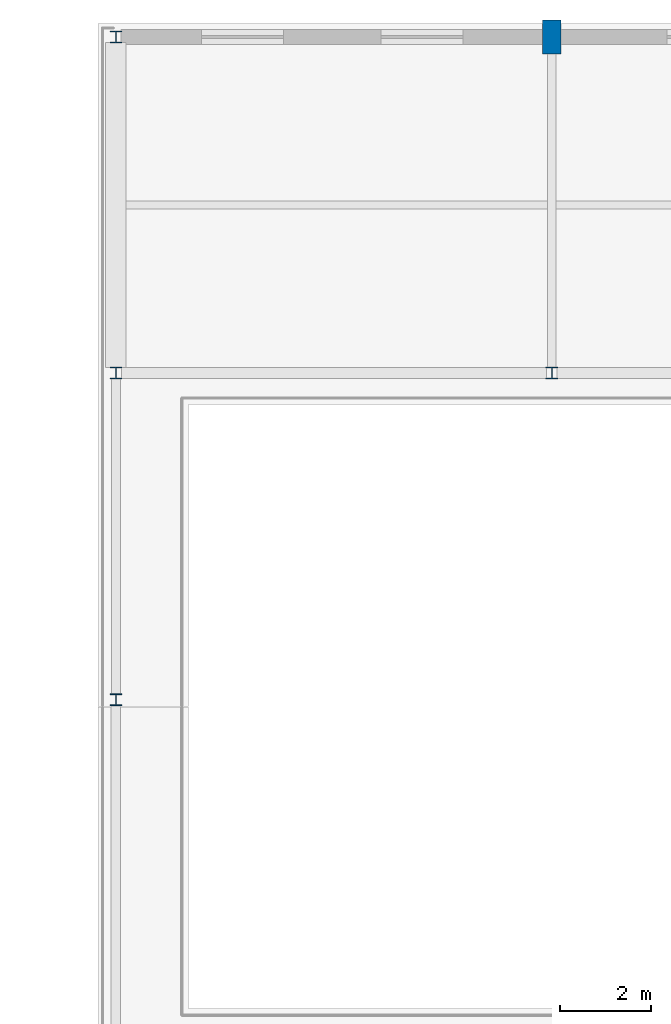
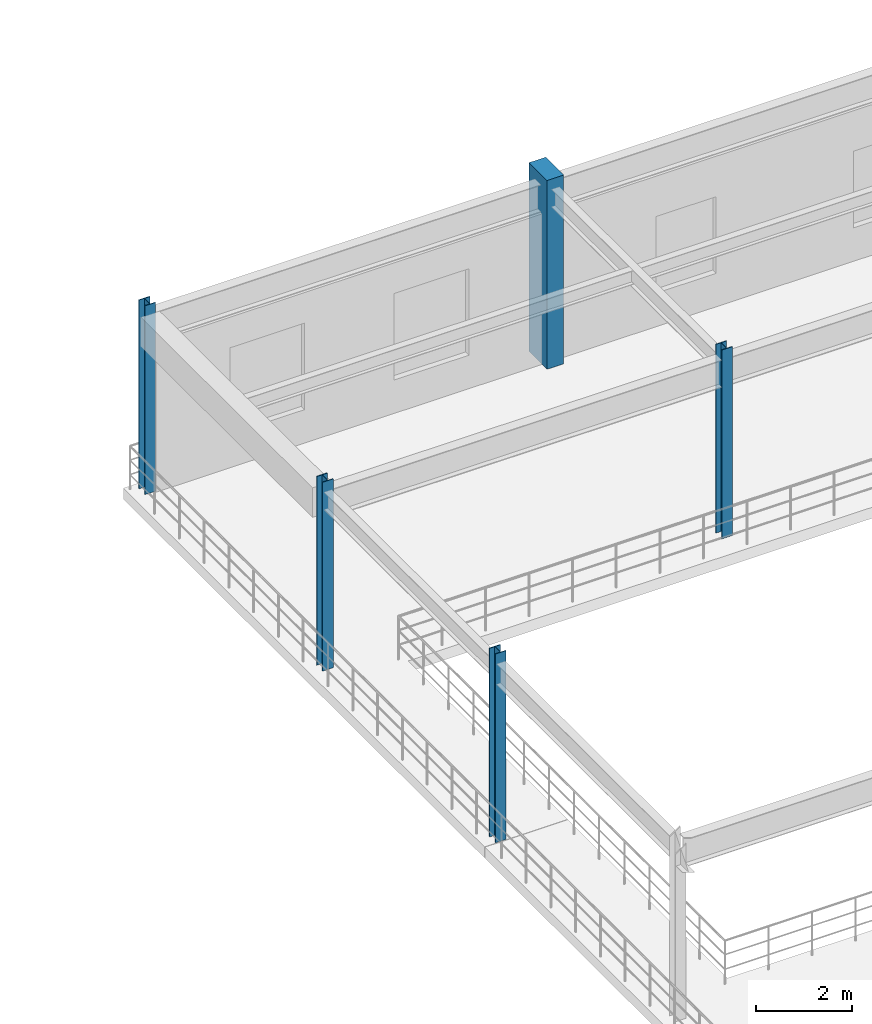
# One storey, part 20 of 144: 5 columns.
"""IFC4 building model written with IfcOpenShell, lengths in metres."""

from ifc_helpers import new_model, si_unit, direction, frame, origin, origin_2d, place, context, subcontext, project, spatial, rectangle, i_section, extrude, material, material_profile, profile_set, type_object, element, save


model = new_model("IFC4")

# Units and contexts
model_context = context("Model", 3, precision=1e-05, world=origin(), true_north=direction((0.0, 1.0)))
body_context = subcontext(model_context, "Body", "Model", "MODEL_VIEW")
ifc_project = project(units=[si_unit("LENGTHUNIT", "METRE"), si_unit("AREAUNIT", "SQUARE_METRE"), si_unit("VOLUMEUNIT", "CUBIC_METRE"), si_unit("PLANEANGLEUNIT", "RADIAN"), si_unit("MASSUNIT", "GRAM", prefix="KILO")], contexts=[model_context])

# Site, building, storey
site_placement = place(None, origin())
site = spatial("IfcSite", under=ifc_project, at=site_placement, CompositionType="ELEMENT")
building_placement = place(site_placement, origin())
building = spatial("IfcBuilding", under=site, at=building_placement, Name="Cinderbank Siding Concert Hall", CompositionType="ELEMENT")
storey_placement = place(building_placement, frame((0.0, 0.0, 5.39990234375)))
storey = spatial("IfcBuildingStorey", under=building, at=storey_placement, Name="L02", CompositionType="ELEMENT", Elevation=5.39990234375)

# Columns
ifc_material_1 = material(Name="Structural steel AS/NZS 3679.1 Grade 350 (340 MPa)", Category="steel")
ifc_material_profile_1 = material_profile(ifc_material_1, i_section(OverallWidth=0.256103515625, OverallDepth=0.260009765625, WebThickness=0.010498046875, FlangeThickness=0.017333984375, at=origin_2d()), Name="250UC89.5", Category="LoadBearing")
ifc_profile_set_1 = profile_set([ifc_material_profile_1], Name="Structural steel AS/NZS 3679.1 Grade 350 (340 MPa)")
column_type_1 = type_object("IfcColumnType", Name="C-UC250H 250UC89.5", PredefinedType="COLUMN", material=ifc_profile_set_1)
for number, where, z_axis, x_axis, name in (
    (1, (118.39990234375, 103.300048828125, 0.0), (0.0, 0.0, 1.0), (1.0, 0.0, 0.0), "L02 Column COL-V3-1-3"),
    (2, (118.39990234375, 110.5, 0.0), (0.0, 0.0, 1.0), (1.0, 0.0, 0.0), "L02 Column COL-V3-1-4"),
    (3, (118.39990234375, 117.89990234375, 0.0), (0.0, 0.0, 1.0), (1.0, 0.0, 0.0), "L02 Column COL-V3-1-5"),
    (4, (128.0, 110.5, 0.0), (0.0, 0.0, 1.0), (1.0, 0.0, 0.0), "L02 Column COL-V3-2-4"),
):
    element("IfcColumn", number, at=place(storey_placement, frame(where, z_axis=z_axis, x_axis=x_axis)), inside=storey, type_object=column_type_1, Name=name, PredefinedType="COLUMN", context=body_context, shape_type="SweptSolid", body=[
        extrude(i_section(OverallWidth=0.256103515625, OverallDepth=0.260009765625, WebThickness=0.010498046875, FlangeThickness=0.017333984375, at=origin_2d()), origin(), (0.0, 0.0, 1.0), 4.800048828125),
    ])
ifc_material_2 = material(Name="Reinforced concrete AS 3600 N50 (50 MPa)", Category="concrete")
ifc_material_profile_2 = material_profile(ifc_material_2, rectangle(XDim=0.39990234375, YDim=0.75, at=origin_2d()), Name="RC-PIER-400x750", Category="LoadBearing")
ifc_profile_set_2 = profile_set([ifc_material_profile_2], Name="Reinforced concrete AS 3600 N50 (50 MPa)")
column_type_2 = type_object("IfcColumnType", Name="PL-RC750 RC-PIER-400x750", PredefinedType="PILASTER", material=ifc_profile_set_2)
column_placement = place(storey_placement, frame((128.0, 117.89990234375, 0.0), z_axis=(0.0, 0.0, 1.0), x_axis=(1.0, 0.0, 0.0)))
element("IfcColumn", 5, at=column_placement, inside=storey, type_object=column_type_2, Name="L02 Column COL-V3-2-5", PredefinedType="PILASTER", context=body_context, shape_type="SweptSolid", body=[
    extrude(rectangle(XDim=0.39990234375, YDim=0.75, at=origin_2d()), origin(), (0.0, 0.0, 1.0), 4.800048828125),
])

save(model, "model.ifc")
